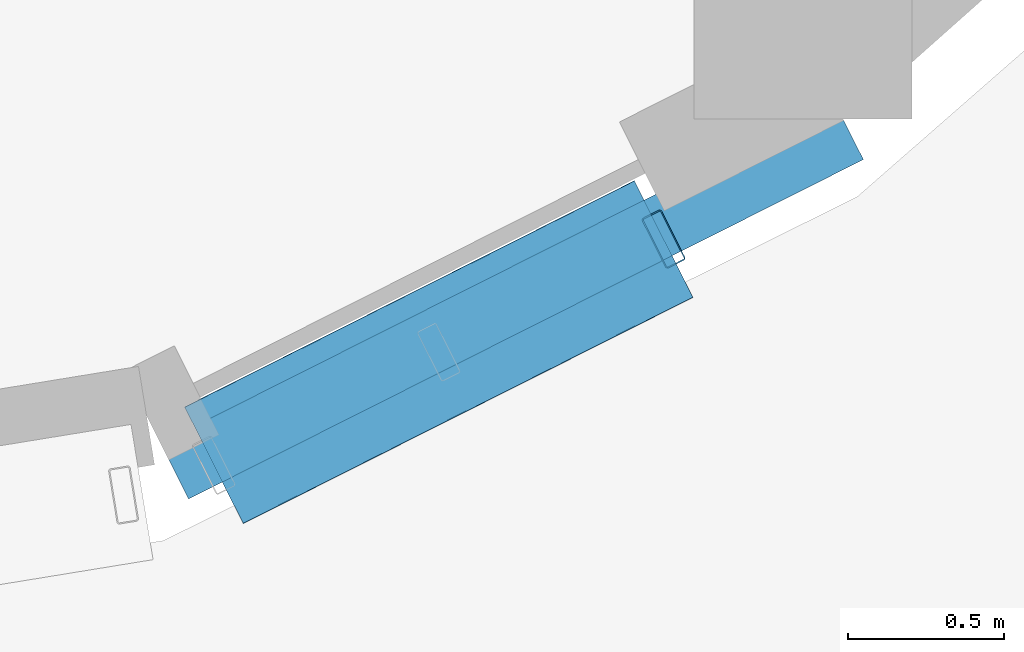
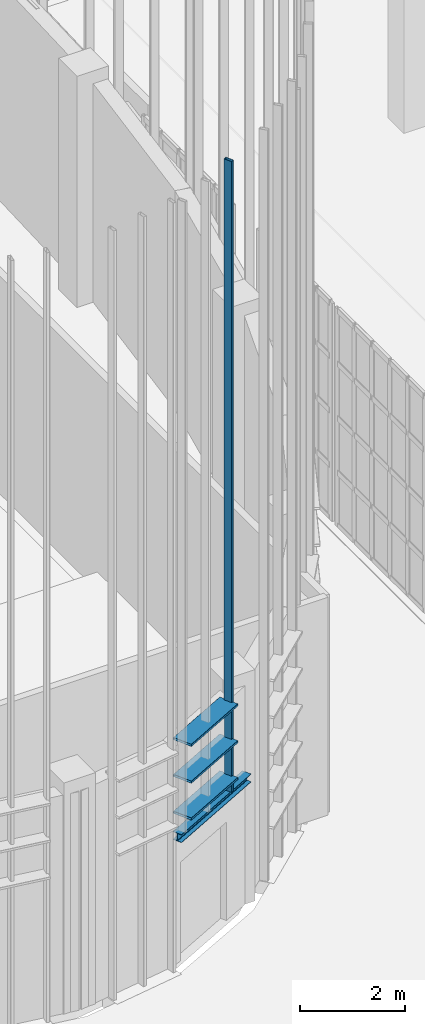
# One storey, part 256 of 372: 4 members, 1 beam.
"""IFC4 building model written with IfcOpenShell, lengths in metres."""

from ifc_helpers import new_model, si_unit, direction, frame, origin, origin_2d, place, context, subcontext, project, spatial, hollow_rectangle, i_section, extrude, material, material_profile, profile_set, type_object, element, save


model = new_model("IFC4")

# Units and contexts
model_context = context("Model", 3, precision=1e-05, world=origin(), true_north=direction((0.0, 1.0)))
body_context = subcontext(model_context, "Body", "Model", "MODEL_VIEW")
ifc_project = project(units=[si_unit("LENGTHUNIT", "METRE"), si_unit("AREAUNIT", "SQUARE_METRE"), si_unit("VOLUMEUNIT", "CUBIC_METRE"), si_unit("PLANEANGLEUNIT", "RADIAN"), si_unit("MASSUNIT", "GRAM", prefix="KILO")], contexts=[model_context])

# Site, building, storey
site_placement = place(None, origin())
site = spatial("IfcSite", under=ifc_project, at=site_placement, CompositionType="ELEMENT")
building_placement = place(site_placement, origin())
building = spatial("IfcBuilding", under=site, at=building_placement, Name="Kaelora Sail Theatre", CompositionType="ELEMENT")
storey_placement = place(building_placement, origin())
storey = spatial("IfcBuildingStorey", under=building, at=storey_placement, Name="L00", CompositionType="ELEMENT", Elevation=0.0)

# Members
ifc_material_1 = material(Name="Anodised aluminium 6063-T6", Category="aluminium")
ifc_material_profile_1 = material_profile(ifc_material_1, hollow_rectangle(XDim=0.419921875, YDim=0.054931640625, WallThickness=0.00390625, InnerFilletRadius=0.00390625, OuterFilletRadius=0.008056640625, at=origin_2d()), Name="LOUVRE 420x55x4")
ifc_profile_set_1 = profile_set([ifc_material_profile_1], Name="Anodised aluminium 6063-T6")
member_type_1 = type_object("IfcMemberType", Name="ARC-MEM-LVR-420", PredefinedType="USERDEFINED", material=ifc_profile_set_1)
for number, where, z_axis, x_axis, name in (
    (1, (139.05908203125, 24.753173828125, 3.449951171875), (-0.893367810651, -0.449326111965, 0.0), (0.449326111965, -0.893367810651, 0.0), "Black-Box and Experimental Sail Wing horizontal solar louvre C9-01"),
    (2, (139.05908203125, 24.753173828125, 4.31005859375), (-0.893367810651, -0.449326111965, 0.0), (0.449326111965, -0.893367810651, 0.0), "Black-Box and Experimental Sail Wing horizontal solar louvre C9-02"),
    (3, (139.05908203125, 24.753173828125, 5.169921875), (-0.893367810651, -0.449326111965, 0.0), (0.449326111965, -0.893367810651, 0.0), "Black-Box and Experimental Sail Wing horizontal solar louvre C9-03"),
):
    element("IfcMember", number, at=place(storey_placement, frame(where, z_axis=z_axis, x_axis=x_axis)), inside=storey, type_object=member_type_1, Name=name, ObjectType="LOUVRE", PredefinedType="USERDEFINED", context=body_context, shape_type="SweptSolid", body=[
        extrude(hollow_rectangle(XDim=0.419921875, YDim=0.054931640625, WallThickness=0.00390625, InnerFilletRadius=0.00390625, OuterFilletRadius=0.008056640625, at=origin_2d()), origin(), (0.0, 0.0, 1.0), 1.616943359375),
    ])
ifc_material_2 = material(Name="Anodised aluminium 6063-T6", Category="aluminium")
ifc_material_profile_2 = material_profile(ifc_material_2, hollow_rectangle(XDim=0.070068359375, YDim=0.179931640625, WallThickness=0.00390625, InnerFilletRadius=0.00390625, OuterFilletRadius=0.008056640625, at=origin_2d()), Name="ALU-MULL 70x180x4")
ifc_profile_set_2 = profile_set([ifc_material_profile_2], Name="Anodised aluminium 6063-T6")
member_type_2 = type_object("IfcMemberType", Name="ARC-MEM-PST-160", PredefinedType="POST", material=ifc_profile_set_2)
member_placement = place(storey_placement, frame((139.05908203125, 24.753173828125, 3.10009765625), z_axis=(0.0, 0.0, 1.0), x_axis=(-0.893371388328, -0.449318998616, 0.0)))
element("IfcMember", 4, at=member_placement, inside=storey, type_object=member_type_2, Name="Black-Box and Experimental Sail Wing solar louvre vertical support post C9-1", PredefinedType="POST", context=body_context, shape_type="SweptSolid", body=[
    extrude(hollow_rectangle(XDim=0.070068359375, YDim=0.179931640625, WallThickness=0.00390625, InnerFilletRadius=0.00390625, OuterFilletRadius=0.008056640625, at=origin_2d()), origin(), (0.0, 0.0, 1.0), 14.72802734375),
])

# Beam
ifc_material_3 = material(Name="Steel S355", Category="steel")
ifc_material_profile_3 = material_profile(ifc_material_3, i_section(OverallWidth=0.199951171875, OverallDepth=0.18994140625, WebThickness=0.006591796875, FlangeThickness=0.010009765625, FilletRadius=0.01806640625, at=origin_2d()), Name="HEA 200")
ifc_profile_set_3 = profile_set([ifc_material_profile_3], Name="Steel S355")
beam_type = type_object("IfcBeamType", Name="STR-BM-BM-HEA200", PredefinedType="BEAM", material=ifc_profile_set_3)
beam_placement = place(storey_placement, frame((139.65576171875, 25.097900390625, 3.0048828125), z_axis=(-0.89337820747, -0.449305440004, 0.0), x_axis=(0.449305440004, -0.89337820747, 0.0)))
element("IfcBeam", 5, at=beam_placement, inside=storey, type_object=beam_type, Name="Black-Box and Experimental Sail Wing brise-soleil portal lintel beam C9", PredefinedType="BEAM", context=body_context, shape_type="SweptSolid", body=[
    extrude(i_section(OverallWidth=0.199951171875, OverallDepth=0.18994140625, WebThickness=0.006591796875, FlangeThickness=0.010009765625, FilletRadius=0.01806640625, at=origin_2d()), origin(), (0.0, 0.0, 1.0), 2.42626953125),
])

save(model, "model.ifc")
